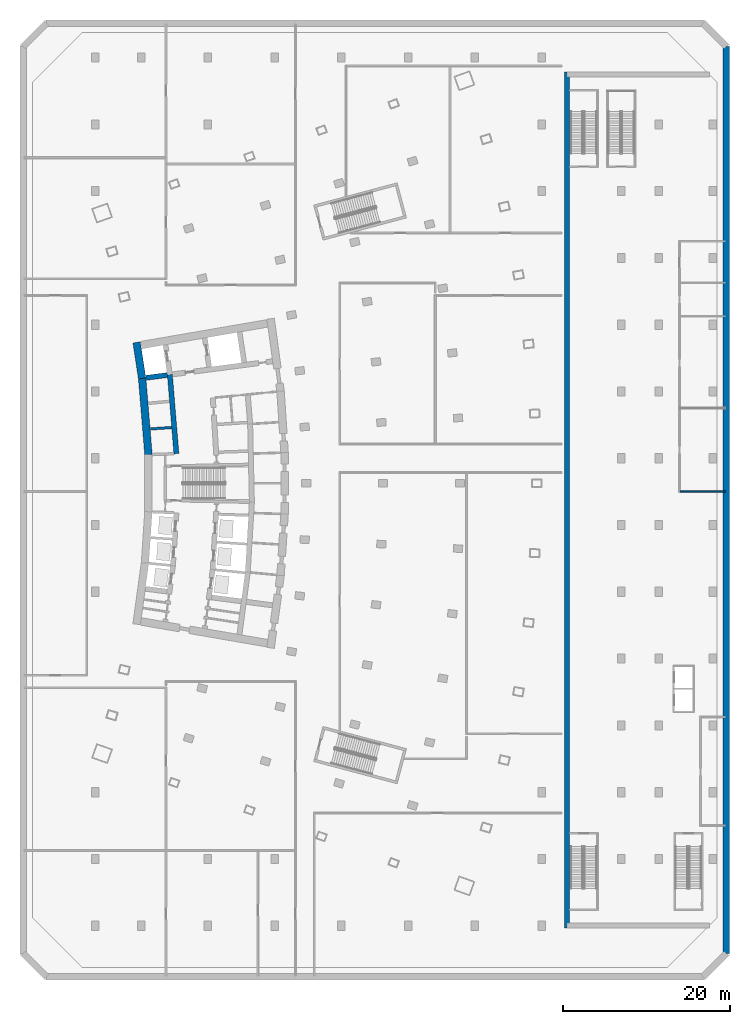
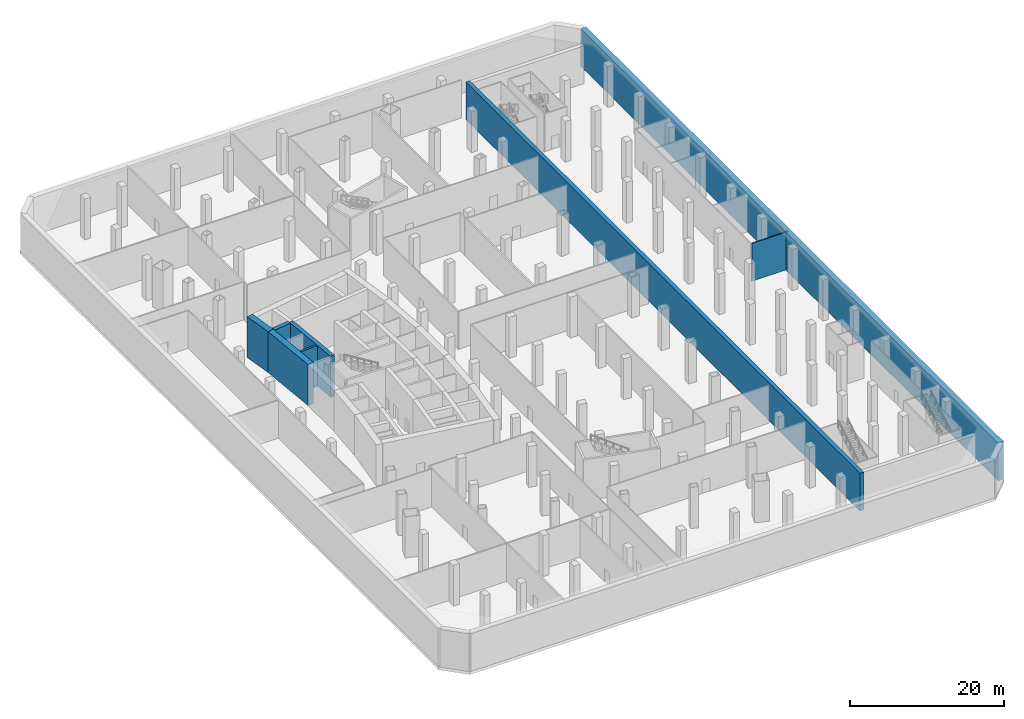
# One storey, part 7 of 16: 8 walls.
"""IFC4 building model written with IfcOpenShell, lengths in metres."""

from ifc_helpers import new_model, si_unit, direction, frame, frame_2d, origin, place, context, subcontext, project, spatial, rectangle, extrude, material, layer, layer_set, type_object, element, save


model = new_model("IFC4")

# Units and contexts
model_context = context("Model", 3, precision=1e-05, world=origin(), true_north=direction((0.0, 1.0)))
body_context = subcontext(model_context, "Body", "Model", "MODEL_VIEW")
ifc_project = project(units=[si_unit("LENGTHUNIT", "METRE"), si_unit("AREAUNIT", "SQUARE_METRE"), si_unit("VOLUMEUNIT", "CUBIC_METRE"), si_unit("PLANEANGLEUNIT", "RADIAN"), si_unit("MASSUNIT", "GRAM", prefix="KILO")], contexts=[model_context])

# Site, building, storey
site_placement = place(None, origin())
site = spatial("IfcSite", under=ifc_project, at=site_placement, CompositionType="ELEMENT")
building_placement = place(site_placement, origin())
building = spatial("IfcBuilding", under=site, at=building_placement, Name="Alderwake Tower", CompositionType="ELEMENT")
storey_placement = place(building_placement, frame((0.0, 0.0, -6.5)))
storey = spatial("IfcBuildingStorey", under=building, at=storey_placement, Name="B1", CompositionType="ELEMENT", Elevation=-6.5)

# Walls
ifc_material_1 = material(Name="Concrete C50/60", Category="concrete")
ifc_layer_1 = layer(ifc_material_1, 0.800048828125)
ifc_layer_set_1 = layer_set([ifc_layer_1], Name="Basement retaining wall 800")
wall_type_1 = type_object("IfcWallType", Name="Basement retaining wall 800", PredefinedType="SOLIDWALL", material=ifc_layer_set_1)
wall_1_placement = place(storey_placement, frame((86.10009765625, 113.334228515625, 0.0), z_axis=(0.0, 0.0, 1.0), x_axis=(0.0, -1.0, 0.0)))
element("IfcWall", 1, at=wall_1_placement, inside=storey, type_object=wall_type_1, Name="Retaining wall 6", PredefinedType="SOLIDWALL", context=body_context, shape_type="SweptSolid", body=[
    extrude(rectangle(XDim=108.66845703125, YDim=0.800048828125, at=frame_2d((54.334228515625, 0.0))), origin(), (0.0, 0.0, 1.0), 6.0),
])
ifc_material_2 = material(Name="Concrete C70/85", Category="concrete")
ifc_layer_2 = layer(ifc_material_2, 0.89990234375)
ifc_layer_set_2 = layer_set([ifc_layer_2], Name="Core wall outer 900 C70-85")
wall_type_2 = type_object("IfcWallType", Name="Core wall outer 900 C70-85", PredefinedType="SHEAR", material=ifc_layer_set_2)
wall_2_placement = place(storey_placement, frame((16.890869140625, 64.41064453125, 0.0), z_axis=(0.0, 0.0, 1.0), x_axis=(-0.082624275373, 0.996580768989, 0.0)))
element("IfcWall", 2, at=wall_2_placement, inside=storey, type_object=wall_type_2, Name="Core wall CW.040", PredefinedType="SHEAR", context=body_context, shape_type="SweptSolid", body=[
    extrude(rectangle(XDim=9.210205078125, YDim=0.89990234375, at=frame_2d((4.60498046875, 0.0))), origin(), (0.0, 0.0, 1.0), 6.5),
])
wall_3_placement = place(storey_placement, frame((16.1337890625, 73.557373046875, 0.0), z_axis=(0.0, 0.0, 1.0), x_axis=(-0.151956504286, 0.988387181627, 0.0)))
element("IfcWall", 3, at=wall_3_placement, inside=storey, type_object=wall_type_2, Name="Core wall CW.039", PredefinedType="SHEAR", context=body_context, shape_type="SweptSolid", body=[
    extrude(rectangle(XDim=4.373291015625, YDim=0.89990234375, at=frame_2d((2.1865234375, 0.0))), origin(), (0.0, 0.0, 1.0), 6.5),
])
ifc_material_3 = material(Name="Concrete C70/85", Category="concrete")
ifc_layer_3 = layer(ifc_material_3, 0.300048828125)
ifc_layer_set_3 = layer_set([ifc_layer_3], Name="Core wall shaft 300 C70-85")
wall_type_3 = type_object("IfcWallType", Name="Core wall shaft 300 C70-85", PredefinedType="SHEAR", material=ifc_layer_set_3)
wall_4_placement = place(storey_placement, frame((17.115478515625, 67.510498046875, 0.0), z_axis=(0.0, 0.0, 1.0), x_axis=(0.99775517309, 0.06696726493, 0.0)))
element("IfcWall", 4, at=wall_4_placement, inside=storey, type_object=wall_type_3, Name="Core wall CW.062", PredefinedType="SHEAR", context=body_context, shape_type="SweptSolid", body=[
    extrude(rectangle(XDim=2.566650390625, YDim=0.300048828125, at=frame_2d((1.283203125, 0.0))), origin(), (0.0, 0.0, 1.0), 6.5),
])
ifc_material_4 = material(Name="Concrete C70/85", Category="concrete")
ifc_layer_4 = layer(ifc_material_4, 0.60009765625)
ifc_layer_set_4 = layer_set([ifc_layer_4], Name="Core wall spine 600 C70-85")
wall_type_4 = type_object("IfcWallType", Name="Core wall spine 600 C70-85", PredefinedType="SHEAR", material=ifc_layer_set_4)
wall_5_placement = place(storey_placement, frame((20.2373046875, 64.548095703125, 0.0), z_axis=(0.0, 0.0, 1.0), x_axis=(-0.082626598613, 0.996580576372, 0.0)))
element("IfcWall", 5, at=wall_5_placement, inside=storey, type_object=wall_type_4, Name="Core wall CW.031", PredefinedType="SHEAR", context=body_context, shape_type="SweptSolid", body=[
    extrude(rectangle(XDim=9.50244140625, YDim=0.60009765625, at=frame_2d((4.751220703125, 0.0))), origin(), (0.0, 0.0, 1.0), 6.5),
])
wall_6_placement = place(storey_placement, frame((16.607666015625, 73.635498046875, 0.0), z_axis=(0.0, 0.0, 1.0), x_axis=(0.991551057449, 0.129717001478, 0.0)))
element("IfcWall", 6, at=wall_6_placement, inside=storey, type_object=wall_type_4, Name="Core wall CW.051", PredefinedType="SHEAR", context=body_context, shape_type="SweptSolid", body=[
    extrude(rectangle(XDim=2.569091796875, YDim=0.60009765625, at=frame_2d((1.28466796875, 0.0))), origin(), (0.0, 0.0, 1.0), 6.5),
])
ifc_material_5 = material(Name="Gypsum board on metal studs, rated")
ifc_layer_5 = layer(ifc_material_5, 0.159912109375)
ifc_layer_set_5 = layer_set([ifc_layer_5], Name="Corridor wall 160")
wall_type_5 = type_object("IfcWallType", Name="Corridor wall 160", PredefinedType="PARTITIONING", material=ifc_layer_set_5)
wall_7_placement = place(storey_placement, frame((86.0009765625, 60.0, 0.0), z_axis=(0.0, 0.0, 1.0), x_axis=(-1.0, 0.0, 0.0)))
element("IfcWall", 7, at=wall_7_placement, inside=storey, type_object=wall_type_5, Name="WL/B1/W62", PredefinedType="PARTITIONING", context=body_context, shape_type="SweptSolid", body=[
    extrude(rectangle(XDim=5.421875, YDim=0.159912109375, at=frame_2d((2.7109375, 0.0))), origin(), (0.0, 0.0, 1.0), 6.0),
])
ifc_material_6 = material(Name="Concrete C70/85", Category="concrete")
ifc_layer_6 = layer(ifc_material_6, 0.60009765625)
ifc_layer_set_6 = layer_set([ifc_layer_6], Name="Station box wall 600")
wall_type_6 = type_object("IfcWallType", Name="Station box wall 600", PredefinedType="SHEAR", material=ifc_layer_set_6)
wall_8_placement = place(storey_placement, frame((67.0, 7.699951171875, 0.0), z_axis=(0.0, 0.0, 1.0), x_axis=(0.0, 1.0, 0.0)))
element("IfcWall", 8, at=wall_8_placement, inside=storey, type_object=wall_type_6, Name="Station box wall W", PredefinedType="SHEAR", context=body_context, shape_type="SweptSolid", body=[
    extrude(rectangle(XDim=102.60009765625, YDim=0.60009765625, at=frame_2d((51.300048828125, 0.0))), origin(), (0.0, 0.0, 1.0), 6.0),
])

save(model, "model.ifc")
